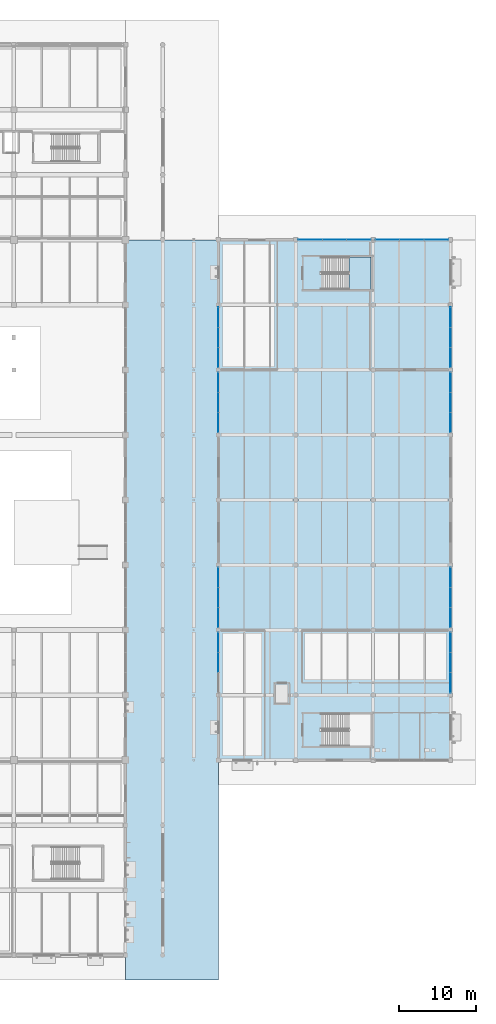
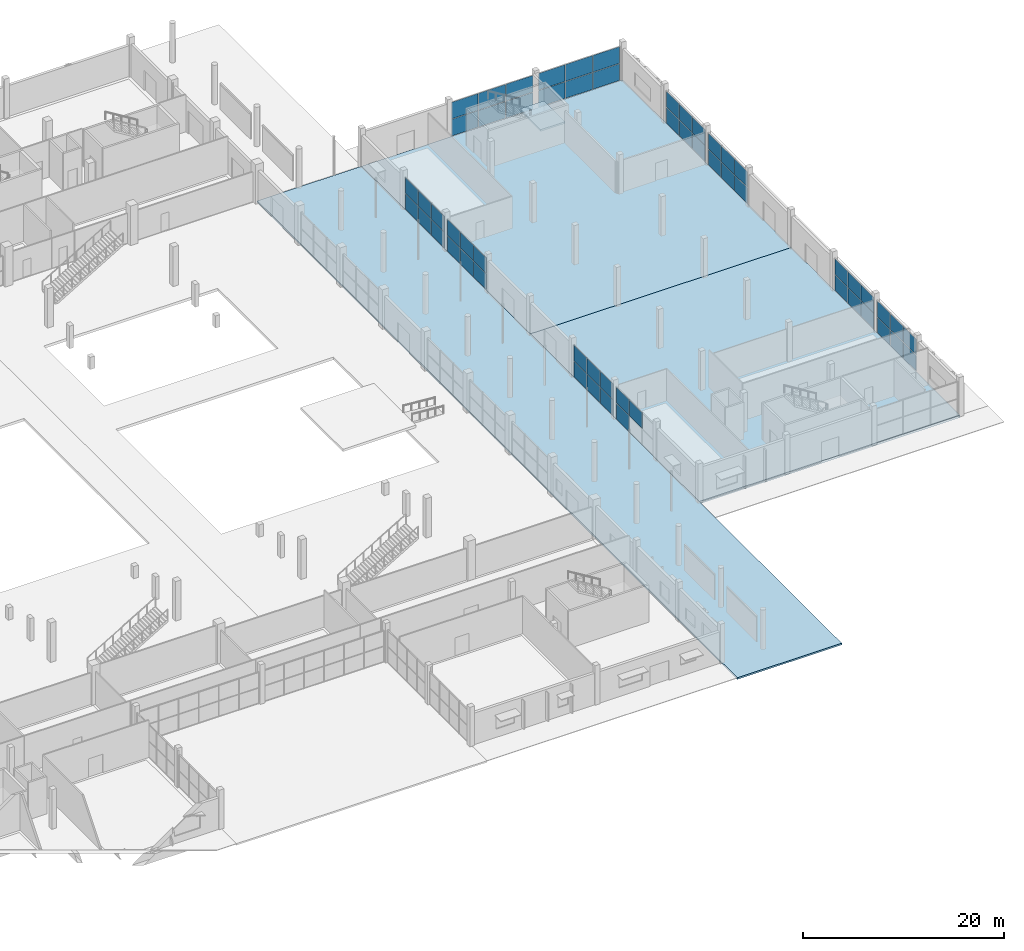
# One storey, part 86 of 130: 57 plates, 4 slabs, 11 elements without a shape of their own.
"""IFC4 building model written with IfcOpenShell, lengths in metres."""

from ifc_helpers import new_model, si_unit, direction, frame, origin, origin_2d, place, context, subcontext, project, spatial, polyline, rectangle, outline, extrude, material, layer, layer_set, type_object, element, aggregate, save


model = new_model("IFC4")

# Units and contexts
model_context = context("Model", 3, precision=1e-05, world=origin(), true_north=direction((0.0, 1.0)))
body_context = subcontext(model_context, "Body", "Model", "MODEL_VIEW")
ifc_project = project(units=[si_unit("LENGTHUNIT", "METRE"), si_unit("AREAUNIT", "SQUARE_METRE"), si_unit("VOLUMEUNIT", "CUBIC_METRE"), si_unit("PLANEANGLEUNIT", "RADIAN"), si_unit("MASSUNIT", "GRAM", prefix="KILO"), si_unit("THERMODYNAMICTEMPERATUREUNIT", "KELVIN")], contexts=[model_context])

# Site, building, storey
site_placement = place(None, origin())
site = spatial("IfcSite", under=ifc_project, at=site_placement, CompositionType="ELEMENT")
building_placement = place(site_placement, origin())
building = spatial("IfcBuilding", under=site, at=building_placement, Name="Nduvali Passage Aquatics Centre", CompositionType="ELEMENT")
storey_placement = place(building_placement, origin())
storey = spatial("IfcBuildingStorey", under=building, at=storey_placement, Name="L00", CompositionType="ELEMENT", Elevation=0.0)

# Curtain wall, plates
ifc_material_1 = material(Name="Aluminium EN AW-6063 T6", Category="aluminium")
curtain_wall_type_1 = type_object("IfcCurtainWallType", Name="ENV-CW-FOYR", PredefinedType="NOTDEFINED", material=ifc_material_1)
curtain_wall_1_placement = place(storey_placement, origin())
curtain_wall_1 = element("IfcCurtainWall", 1, at=curtain_wall_1_placement, inside=storey, type_object=curtain_wall_type_1, Name="L00 Passage Foyer Ground CW 069", PredefinedType="NOTDEFINED")
ifc_material_2 = material(Name="Laminated solar-control low-E IGU")
ifc_layer_1 = layer(ifc_material_2, 0.028076171875, Name="Laminated solar-control low-E IGU")
ifc_layer_set_1 = layer_set([ifc_layer_1], Name="Laminated solar-control low-E IGU")
plate_type = type_object("IfcPlateType", Name="ENV-PLT-GLZ28", PredefinedType="CURTAIN_PANEL", material=ifc_layer_set_1)
plate_1_placement = place(storey_placement, frame((138.0, 37.800048828125, 2.01806640625), z_axis=(0.0, 0.0, 1.0), x_axis=(0.0, 1.0, 0.0)))
plate_1 = element("IfcPlate", 2, at=plate_1_placement, type_object=plate_type, Name="Passage Foyer Ground CW Glazed Panel B2-R2", PredefinedType="CURTAIN_PANEL", context=body_context, shape_type="SweptSolid", body=[
    extrude(rectangle(XDim=2.556640625, YDim=0.028076171875, at=origin_2d()), origin(), (0.0, 0.0, 1.0), 1.898193359375),
])
plate_2_placement = place(storey_placement, frame((138.0, 40.401611328125, 0.06005859375), z_axis=(0.0, 0.0, 1.0), x_axis=(0.0, 1.0, 0.0)))
plate_2 = element("IfcPlate", 3, at=plate_2_placement, type_object=plate_type, Name="Passage Foyer Ground CW Glazed Panel B3-R1", PredefinedType="CURTAIN_PANEL", context=body_context, shape_type="SweptSolid", body=[
    extrude(rectangle(XDim=2.526611328125, YDim=0.028076171875, at=origin_2d()), origin(), (0.0, 0.0, 1.0), 1.898193359375),
])
plate_3_placement = place(storey_placement, frame((138.0, 40.401611328125, 2.01806640625), z_axis=(0.0, 0.0, 1.0), x_axis=(0.0, 1.0, 0.0)))
plate_3 = element("IfcPlate", 4, at=plate_3_placement, type_object=plate_type, Name="Passage Foyer Ground CW Glazed Panel B3-R2", PredefinedType="CURTAIN_PANEL", context=body_context, shape_type="SweptSolid", body=[
    extrude(rectangle(XDim=2.526611328125, YDim=0.028076171875, at=origin_2d()), origin(), (0.0, 0.0, 1.0), 1.898193359375),
])
aggregate(curtain_wall_1, [plate_1, plate_2, plate_3])

curtain_wall_2_placement = place(storey_placement, origin())
curtain_wall_2 = element("IfcCurtainWall", 5, at=curtain_wall_2_placement, inside=storey, type_object=curtain_wall_type_1, Name="L00 Passage Foyer Ground CW 071", PredefinedType="NOTDEFINED")
plate_4_placement = place(storey_placement, frame((138.0, 43.598388671875, 0.06005859375), z_axis=(0.0, 0.0, 1.0), x_axis=(0.0, 1.0, 0.0)))
plate_4 = element("IfcPlate", 6, at=plate_4_placement, type_object=plate_type, Name="Passage Foyer Ground CW Glazed Panel B1-R1", PredefinedType="CURTAIN_PANEL", context=body_context, shape_type="SweptSolid", body=[
    extrude(rectangle(XDim=2.526611328125, YDim=0.028076171875, at=origin_2d()), origin(), (0.0, 0.0, 1.0), 1.898193359375),
])
plate_5_placement = place(storey_placement, frame((138.0, 43.598388671875, 2.01806640625), z_axis=(0.0, 0.0, 1.0), x_axis=(0.0, 1.0, 0.0)))
plate_5 = element("IfcPlate", 7, at=plate_5_placement, type_object=plate_type, Name="Passage Foyer Ground CW Glazed Panel B1-R2", PredefinedType="CURTAIN_PANEL", context=body_context, shape_type="SweptSolid", body=[
    extrude(rectangle(XDim=2.526611328125, YDim=0.028076171875, at=origin_2d()), origin(), (0.0, 0.0, 1.0), 1.898193359375),
])
plate_6_placement = place(storey_placement, frame((138.0, 46.199951171875, 0.06005859375), z_axis=(0.0, 0.0, 1.0), x_axis=(0.0, 1.0, 0.0)))
plate_6 = element("IfcPlate", 8, at=plate_6_placement, type_object=plate_type, Name="Passage Foyer Ground CW Glazed Panel B2-R1", PredefinedType="CURTAIN_PANEL", context=body_context, shape_type="SweptSolid", body=[
    extrude(rectangle(XDim=2.556640625, YDim=0.028076171875, at=origin_2d()), origin(), (0.0, 0.0, 1.0), 1.898193359375),
])
plate_7_placement = place(storey_placement, frame((138.0, 46.199951171875, 2.01806640625), z_axis=(0.0, 0.0, 1.0), x_axis=(0.0, 1.0, 0.0)))
plate_7 = element("IfcPlate", 9, at=plate_7_placement, type_object=plate_type, Name="Passage Foyer Ground CW Glazed Panel B2-R2", PredefinedType="CURTAIN_PANEL", context=body_context, shape_type="SweptSolid", body=[
    extrude(rectangle(XDim=2.556640625, YDim=0.028076171875, at=origin_2d()), origin(), (0.0, 0.0, 1.0), 1.898193359375),
])
plate_8_placement = place(storey_placement, frame((138.0, 48.8017578125, 0.06005859375), z_axis=(0.0, 0.0, 1.0), x_axis=(0.0, 1.0, 0.0)))
plate_8 = element("IfcPlate", 10, at=plate_8_placement, type_object=plate_type, Name="Passage Foyer Ground CW Glazed Panel B3-R1", PredefinedType="CURTAIN_PANEL", context=body_context, shape_type="SweptSolid", body=[
    extrude(rectangle(XDim=2.526611328125, YDim=0.028076171875, at=origin_2d()), origin(), (0.0, 0.0, 1.0), 1.898193359375),
])
plate_9_placement = place(storey_placement, frame((138.0, 48.8017578125, 2.01806640625), z_axis=(0.0, 0.0, 1.0), x_axis=(0.0, 1.0, 0.0)))
plate_9 = element("IfcPlate", 11, at=plate_9_placement, type_object=plate_type, Name="Passage Foyer Ground CW Glazed Panel B3-R2", PredefinedType="CURTAIN_PANEL", context=body_context, shape_type="SweptSolid", body=[
    extrude(rectangle(XDim=2.526611328125, YDim=0.028076171875, at=origin_2d()), origin(), (0.0, 0.0, 1.0), 1.898193359375),
])
aggregate(curtain_wall_2, [plate_4, plate_5, plate_6, plate_7, plate_8, plate_9])

curtain_wall_3_placement = place(storey_placement, origin())
curtain_wall_3 = element("IfcCurtainWall", 12, at=curtain_wall_3_placement, inside=storey, type_object=curtain_wall_type_1, Name="L00 Passage Foyer Ground CW 075", PredefinedType="NOTDEFINED")
plate_10_placement = place(storey_placement, frame((138.0, 68.79833984375, 0.06005859375), z_axis=(0.0, 0.0, 1.0), x_axis=(0.0, 1.0, 0.0)))
plate_10 = element("IfcPlate", 13, at=plate_10_placement, type_object=plate_type, Name="Passage Foyer Ground CW Glazed Panel B1-R1", PredefinedType="CURTAIN_PANEL", context=body_context, shape_type="SweptSolid", body=[
    extrude(rectangle(XDim=2.526611328125, YDim=0.028076171875, at=origin_2d()), origin(), (0.0, 0.0, 1.0), 1.898193359375),
])
plate_11_placement = place(storey_placement, frame((138.0, 68.79833984375, 2.01806640625), z_axis=(0.0, 0.0, 1.0), x_axis=(0.0, 1.0, 0.0)))
plate_11 = element("IfcPlate", 14, at=plate_11_placement, type_object=plate_type, Name="Passage Foyer Ground CW Glazed Panel B1-R2", PredefinedType="CURTAIN_PANEL", context=body_context, shape_type="SweptSolid", body=[
    extrude(rectangle(XDim=2.526611328125, YDim=0.028076171875, at=origin_2d()), origin(), (0.0, 0.0, 1.0), 1.898193359375),
])
plate_12_placement = place(storey_placement, frame((138.0, 71.39990234375, 0.06005859375), z_axis=(0.0, 0.0, 1.0), x_axis=(0.0, 1.0, 0.0)))
plate_12 = element("IfcPlate", 15, at=plate_12_placement, type_object=plate_type, Name="Passage Foyer Ground CW Glazed Panel B2-R1", PredefinedType="CURTAIN_PANEL", context=body_context, shape_type="SweptSolid", body=[
    extrude(rectangle(XDim=2.556640625, YDim=0.028076171875, at=origin_2d()), origin(), (0.0, 0.0, 1.0), 1.898193359375),
])
plate_13_placement = place(storey_placement, frame((138.0, 71.39990234375, 2.01806640625), z_axis=(0.0, 0.0, 1.0), x_axis=(0.0, 1.0, 0.0)))
plate_13 = element("IfcPlate", 16, at=plate_13_placement, type_object=plate_type, Name="Passage Foyer Ground CW Glazed Panel B2-R2", PredefinedType="CURTAIN_PANEL", context=body_context, shape_type="SweptSolid", body=[
    extrude(rectangle(XDim=2.556640625, YDim=0.028076171875, at=origin_2d()), origin(), (0.0, 0.0, 1.0), 1.898193359375),
])
plate_14_placement = place(storey_placement, frame((138.0, 74.001708984375, 0.06005859375), z_axis=(0.0, 0.0, 1.0), x_axis=(0.0, 1.0, 0.0)))
plate_14 = element("IfcPlate", 17, at=plate_14_placement, type_object=plate_type, Name="Passage Foyer Ground CW Glazed Panel B3-R1", PredefinedType="CURTAIN_PANEL", context=body_context, shape_type="SweptSolid", body=[
    extrude(rectangle(XDim=2.526611328125, YDim=0.028076171875, at=origin_2d()), origin(), (0.0, 0.0, 1.0), 1.898193359375),
])
plate_15_placement = place(storey_placement, frame((138.0, 74.001708984375, 2.01806640625), z_axis=(0.0, 0.0, 1.0), x_axis=(0.0, 1.0, 0.0)))
plate_15 = element("IfcPlate", 18, at=plate_15_placement, type_object=plate_type, Name="Passage Foyer Ground CW Glazed Panel B3-R2", PredefinedType="CURTAIN_PANEL", context=body_context, shape_type="SweptSolid", body=[
    extrude(rectangle(XDim=2.526611328125, YDim=0.028076171875, at=origin_2d()), origin(), (0.0, 0.0, 1.0), 1.898193359375),
])
aggregate(curtain_wall_3, [plate_10, plate_11, plate_12, plate_13, plate_14, plate_15])

curtain_wall_4_placement = place(storey_placement, origin())
curtain_wall_4 = element("IfcCurtainWall", 19, at=curtain_wall_4_placement, inside=storey, type_object=curtain_wall_type_1, Name="L00 Passage Foyer Ground CW 077", PredefinedType="NOTDEFINED")
plate_16_placement = place(storey_placement, frame((138.0, 77.1982421875, 0.06005859375), z_axis=(0.0, 0.0, 1.0), x_axis=(0.0, 1.0, 0.0)))
plate_16 = element("IfcPlate", 20, at=plate_16_placement, type_object=plate_type, Name="Passage Foyer Ground CW Glazed Panel B1-R1", PredefinedType="CURTAIN_PANEL", context=body_context, shape_type="SweptSolid", body=[
    extrude(rectangle(XDim=2.526611328125, YDim=0.028076171875, at=origin_2d()), origin(), (0.0, 0.0, 1.0), 1.898193359375),
])
plate_17_placement = place(storey_placement, frame((138.0, 77.1982421875, 2.01806640625), z_axis=(0.0, 0.0, 1.0), x_axis=(0.0, 1.0, 0.0)))
plate_17 = element("IfcPlate", 21, at=plate_17_placement, type_object=plate_type, Name="Passage Foyer Ground CW Glazed Panel B1-R2", PredefinedType="CURTAIN_PANEL", context=body_context, shape_type="SweptSolid", body=[
    extrude(rectangle(XDim=2.526611328125, YDim=0.028076171875, at=origin_2d()), origin(), (0.0, 0.0, 1.0), 1.898193359375),
])
plate_18_placement = place(storey_placement, frame((138.0, 79.800048828125, 0.06005859375), z_axis=(0.0, 0.0, 1.0), x_axis=(0.0, 1.0, 0.0)))
plate_18 = element("IfcPlate", 22, at=plate_18_placement, type_object=plate_type, Name="Passage Foyer Ground CW Glazed Panel B2-R1", PredefinedType="CURTAIN_PANEL", context=body_context, shape_type="SweptSolid", body=[
    extrude(rectangle(XDim=2.556640625, YDim=0.028076171875, at=origin_2d()), origin(), (0.0, 0.0, 1.0), 1.898193359375),
])
plate_19_placement = place(storey_placement, frame((138.0, 79.800048828125, 2.01806640625), z_axis=(0.0, 0.0, 1.0), x_axis=(0.0, 1.0, 0.0)))
plate_19 = element("IfcPlate", 23, at=plate_19_placement, type_object=plate_type, Name="Passage Foyer Ground CW Glazed Panel B2-R2", PredefinedType="CURTAIN_PANEL", context=body_context, shape_type="SweptSolid", body=[
    extrude(rectangle(XDim=2.556640625, YDim=0.028076171875, at=origin_2d()), origin(), (0.0, 0.0, 1.0), 1.898193359375),
])
plate_20_placement = place(storey_placement, frame((138.0, 82.401611328125, 0.06005859375), z_axis=(0.0, 0.0, 1.0), x_axis=(0.0, 1.0, 0.0)))
plate_20 = element("IfcPlate", 24, at=plate_20_placement, type_object=plate_type, Name="Passage Foyer Ground CW Glazed Panel B3-R1", PredefinedType="CURTAIN_PANEL", context=body_context, shape_type="SweptSolid", body=[
    extrude(rectangle(XDim=2.526611328125, YDim=0.028076171875, at=origin_2d()), origin(), (0.0, 0.0, 1.0), 1.898193359375),
])
plate_21_placement = place(storey_placement, frame((138.0, 82.401611328125, 2.01806640625), z_axis=(0.0, 0.0, 1.0), x_axis=(0.0, 1.0, 0.0)))
plate_21 = element("IfcPlate", 25, at=plate_21_placement, type_object=plate_type, Name="Passage Foyer Ground CW Glazed Panel B3-R2", PredefinedType="CURTAIN_PANEL", context=body_context, shape_type="SweptSolid", body=[
    extrude(rectangle(XDim=2.526611328125, YDim=0.028076171875, at=origin_2d()), origin(), (0.0, 0.0, 1.0), 1.898193359375),
])
aggregate(curtain_wall_4, [plate_16, plate_17, plate_18, plate_19, plate_20, plate_21])

curtain_wall_5_placement = place(storey_placement, origin())
curtain_wall_5 = element("IfcCurtainWall", 26, at=curtain_wall_5_placement, inside=storey, type_object=curtain_wall_type_1, Name="L00 East Avenue Entrance Ground CW 081", PredefinedType="NOTDEFINED")
plate_22_placement = place(storey_placement, frame((168.0, 35.1982421875, 0.06005859375), z_axis=(0.0, 0.0, 1.0), x_axis=(0.0, 1.0, 0.0)))
plate_22 = element("IfcPlate", 27, at=plate_22_placement, type_object=plate_type, Name="East Avenue Entrance Ground CW Glazed Panel B1-R1", PredefinedType="CURTAIN_PANEL", context=body_context, shape_type="SweptSolid", body=[
    extrude(rectangle(XDim=2.526611328125, YDim=0.028076171875, at=origin_2d()), origin(), (0.0, 0.0, 1.0), 1.898193359375),
])
plate_23_placement = place(storey_placement, frame((168.0, 35.1982421875, 2.01806640625), z_axis=(0.0, 0.0, 1.0), x_axis=(0.0, 1.0, 0.0)))
plate_23 = element("IfcPlate", 28, at=plate_23_placement, type_object=plate_type, Name="East Avenue Entrance Ground CW Glazed Panel B1-R2", PredefinedType="CURTAIN_PANEL", context=body_context, shape_type="SweptSolid", body=[
    extrude(rectangle(XDim=2.526611328125, YDim=0.028076171875, at=origin_2d()), origin(), (0.0, 0.0, 1.0), 1.898193359375),
])
plate_24_placement = place(storey_placement, frame((168.0, 37.800048828125, 0.06005859375), z_axis=(0.0, 0.0, 1.0), x_axis=(0.0, 1.0, 0.0)))
plate_24 = element("IfcPlate", 29, at=plate_24_placement, type_object=plate_type, Name="East Avenue Entrance Ground CW Glazed Panel B2-R1", PredefinedType="CURTAIN_PANEL", context=body_context, shape_type="SweptSolid", body=[
    extrude(rectangle(XDim=2.556640625, YDim=0.028076171875, at=origin_2d()), origin(), (0.0, 0.0, 1.0), 1.898193359375),
])
plate_25_placement = place(storey_placement, frame((168.0, 37.800048828125, 2.01806640625), z_axis=(0.0, 0.0, 1.0), x_axis=(0.0, 1.0, 0.0)))
plate_25 = element("IfcPlate", 30, at=plate_25_placement, type_object=plate_type, Name="East Avenue Entrance Ground CW Glazed Panel B2-R2", PredefinedType="CURTAIN_PANEL", context=body_context, shape_type="SweptSolid", body=[
    extrude(rectangle(XDim=2.556640625, YDim=0.028076171875, at=origin_2d()), origin(), (0.0, 0.0, 1.0), 1.898193359375),
])
plate_26_placement = place(storey_placement, frame((168.0, 40.401611328125, 0.06005859375), z_axis=(0.0, 0.0, 1.0), x_axis=(0.0, 1.0, 0.0)))
plate_26 = element("IfcPlate", 31, at=plate_26_placement, type_object=plate_type, Name="East Avenue Entrance Ground CW Glazed Panel B3-R1", PredefinedType="CURTAIN_PANEL", context=body_context, shape_type="SweptSolid", body=[
    extrude(rectangle(XDim=2.526611328125, YDim=0.028076171875, at=origin_2d()), origin(), (0.0, 0.0, 1.0), 1.898193359375),
])
plate_27_placement = place(storey_placement, frame((168.0, 40.401611328125, 2.01806640625), z_axis=(0.0, 0.0, 1.0), x_axis=(0.0, 1.0, 0.0)))
plate_27 = element("IfcPlate", 32, at=plate_27_placement, type_object=plate_type, Name="East Avenue Entrance Ground CW Glazed Panel B3-R2", PredefinedType="CURTAIN_PANEL", context=body_context, shape_type="SweptSolid", body=[
    extrude(rectangle(XDim=2.526611328125, YDim=0.028076171875, at=origin_2d()), origin(), (0.0, 0.0, 1.0), 1.898193359375),
])
aggregate(curtain_wall_5, [plate_22, plate_23, plate_24, plate_25, plate_26, plate_27])

curtain_wall_6_placement = place(storey_placement, origin())
curtain_wall_6 = element("IfcCurtainWall", 33, at=curtain_wall_6_placement, inside=storey, type_object=curtain_wall_type_1, Name="L00 East Avenue Entrance Ground CW 083", PredefinedType="NOTDEFINED")
plate_28_placement = place(storey_placement, frame((168.0, 43.598388671875, 0.06005859375), z_axis=(0.0, 0.0, 1.0), x_axis=(0.0, 1.0, 0.0)))
plate_28 = element("IfcPlate", 34, at=plate_28_placement, type_object=plate_type, Name="East Avenue Entrance Ground CW Glazed Panel B1-R1", PredefinedType="CURTAIN_PANEL", context=body_context, shape_type="SweptSolid", body=[
    extrude(rectangle(XDim=2.526611328125, YDim=0.028076171875, at=origin_2d()), origin(), (0.0, 0.0, 1.0), 1.898193359375),
])
plate_29_placement = place(storey_placement, frame((168.0, 43.598388671875, 2.01806640625), z_axis=(0.0, 0.0, 1.0), x_axis=(0.0, 1.0, 0.0)))
plate_29 = element("IfcPlate", 35, at=plate_29_placement, type_object=plate_type, Name="East Avenue Entrance Ground CW Glazed Panel B1-R2", PredefinedType="CURTAIN_PANEL", context=body_context, shape_type="SweptSolid", body=[
    extrude(rectangle(XDim=2.526611328125, YDim=0.028076171875, at=origin_2d()), origin(), (0.0, 0.0, 1.0), 1.898193359375),
])
plate_30_placement = place(storey_placement, frame((168.0, 46.199951171875, 0.06005859375), z_axis=(0.0, 0.0, 1.0), x_axis=(0.0, 1.0, 0.0)))
plate_30 = element("IfcPlate", 36, at=plate_30_placement, type_object=plate_type, Name="East Avenue Entrance Ground CW Glazed Panel B2-R1", PredefinedType="CURTAIN_PANEL", context=body_context, shape_type="SweptSolid", body=[
    extrude(rectangle(XDim=2.556640625, YDim=0.028076171875, at=origin_2d()), origin(), (0.0, 0.0, 1.0), 1.898193359375),
])
plate_31_placement = place(storey_placement, frame((168.0, 46.199951171875, 2.01806640625), z_axis=(0.0, 0.0, 1.0), x_axis=(0.0, 1.0, 0.0)))
plate_31 = element("IfcPlate", 37, at=plate_31_placement, type_object=plate_type, Name="East Avenue Entrance Ground CW Glazed Panel B2-R2", PredefinedType="CURTAIN_PANEL", context=body_context, shape_type="SweptSolid", body=[
    extrude(rectangle(XDim=2.556640625, YDim=0.028076171875, at=origin_2d()), origin(), (0.0, 0.0, 1.0), 1.898193359375),
])
plate_32_placement = place(storey_placement, frame((168.0, 48.8017578125, 0.06005859375), z_axis=(0.0, 0.0, 1.0), x_axis=(0.0, 1.0, 0.0)))
plate_32 = element("IfcPlate", 38, at=plate_32_placement, type_object=plate_type, Name="East Avenue Entrance Ground CW Glazed Panel B3-R1", PredefinedType="CURTAIN_PANEL", context=body_context, shape_type="SweptSolid", body=[
    extrude(rectangle(XDim=2.526611328125, YDim=0.028076171875, at=origin_2d()), origin(), (0.0, 0.0, 1.0), 1.898193359375),
])
plate_33_placement = place(storey_placement, frame((168.0, 48.8017578125, 2.01806640625), z_axis=(0.0, 0.0, 1.0), x_axis=(0.0, 1.0, 0.0)))
plate_33 = element("IfcPlate", 39, at=plate_33_placement, type_object=plate_type, Name="East Avenue Entrance Ground CW Glazed Panel B3-R2", PredefinedType="CURTAIN_PANEL", context=body_context, shape_type="SweptSolid", body=[
    extrude(rectangle(XDim=2.526611328125, YDim=0.028076171875, at=origin_2d()), origin(), (0.0, 0.0, 1.0), 1.898193359375),
])
aggregate(curtain_wall_6, [plate_28, plate_29, plate_30, plate_31, plate_32, plate_33])

curtain_wall_7_placement = place(storey_placement, origin())
curtain_wall_7 = element("IfcCurtainWall", 40, at=curtain_wall_7_placement, inside=storey, type_object=curtain_wall_type_1, Name="L00 East Avenue Entrance Ground CW 087", PredefinedType="NOTDEFINED")
plate_34_placement = place(storey_placement, frame((168.0, 68.79833984375, 0.06005859375), z_axis=(0.0, 0.0, 1.0), x_axis=(0.0, 1.0, 0.0)))
plate_34 = element("IfcPlate", 41, at=plate_34_placement, type_object=plate_type, Name="East Avenue Entrance Ground CW Glazed Panel B1-R1", PredefinedType="CURTAIN_PANEL", context=body_context, shape_type="SweptSolid", body=[
    extrude(rectangle(XDim=2.526611328125, YDim=0.028076171875, at=origin_2d()), origin(), (0.0, 0.0, 1.0), 1.898193359375),
])
plate_35_placement = place(storey_placement, frame((168.0, 68.79833984375, 2.01806640625), z_axis=(0.0, 0.0, 1.0), x_axis=(0.0, 1.0, 0.0)))
plate_35 = element("IfcPlate", 42, at=plate_35_placement, type_object=plate_type, Name="East Avenue Entrance Ground CW Glazed Panel B1-R2", PredefinedType="CURTAIN_PANEL", context=body_context, shape_type="SweptSolid", body=[
    extrude(rectangle(XDim=2.526611328125, YDim=0.028076171875, at=origin_2d()), origin(), (0.0, 0.0, 1.0), 1.898193359375),
])
plate_36_placement = place(storey_placement, frame((168.0, 71.39990234375, 0.06005859375), z_axis=(0.0, 0.0, 1.0), x_axis=(0.0, 1.0, 0.0)))
plate_36 = element("IfcPlate", 43, at=plate_36_placement, type_object=plate_type, Name="East Avenue Entrance Ground CW Glazed Panel B2-R1", PredefinedType="CURTAIN_PANEL", context=body_context, shape_type="SweptSolid", body=[
    extrude(rectangle(XDim=2.556640625, YDim=0.028076171875, at=origin_2d()), origin(), (0.0, 0.0, 1.0), 1.898193359375),
])
plate_37_placement = place(storey_placement, frame((168.0, 71.39990234375, 2.01806640625), z_axis=(0.0, 0.0, 1.0), x_axis=(0.0, 1.0, 0.0)))
plate_37 = element("IfcPlate", 44, at=plate_37_placement, type_object=plate_type, Name="East Avenue Entrance Ground CW Glazed Panel B2-R2", PredefinedType="CURTAIN_PANEL", context=body_context, shape_type="SweptSolid", body=[
    extrude(rectangle(XDim=2.556640625, YDim=0.028076171875, at=origin_2d()), origin(), (0.0, 0.0, 1.0), 1.898193359375),
])
plate_38_placement = place(storey_placement, frame((168.0, 74.001708984375, 0.06005859375), z_axis=(0.0, 0.0, 1.0), x_axis=(0.0, 1.0, 0.0)))
plate_38 = element("IfcPlate", 45, at=plate_38_placement, type_object=plate_type, Name="East Avenue Entrance Ground CW Glazed Panel B3-R1", PredefinedType="CURTAIN_PANEL", context=body_context, shape_type="SweptSolid", body=[
    extrude(rectangle(XDim=2.526611328125, YDim=0.028076171875, at=origin_2d()), origin(), (0.0, 0.0, 1.0), 1.898193359375),
])
plate_39_placement = place(storey_placement, frame((168.0, 74.001708984375, 2.01806640625), z_axis=(0.0, 0.0, 1.0), x_axis=(0.0, 1.0, 0.0)))
plate_39 = element("IfcPlate", 46, at=plate_39_placement, type_object=plate_type, Name="East Avenue Entrance Ground CW Glazed Panel B3-R2", PredefinedType="CURTAIN_PANEL", context=body_context, shape_type="SweptSolid", body=[
    extrude(rectangle(XDim=2.526611328125, YDim=0.028076171875, at=origin_2d()), origin(), (0.0, 0.0, 1.0), 1.898193359375),
])
aggregate(curtain_wall_7, [plate_34, plate_35, plate_36, plate_37, plate_38, plate_39])

curtain_wall_8_placement = place(storey_placement, origin())
curtain_wall_8 = element("IfcCurtainWall", 47, at=curtain_wall_8_placement, inside=storey, type_object=curtain_wall_type_1, Name="L00 East Avenue Entrance Ground CW 089", PredefinedType="NOTDEFINED")
plate_40_placement = place(storey_placement, frame((168.0, 77.1982421875, 0.06005859375), z_axis=(0.0, 0.0, 1.0), x_axis=(0.0, 1.0, 0.0)))
plate_40 = element("IfcPlate", 48, at=plate_40_placement, type_object=plate_type, Name="East Avenue Entrance Ground CW Glazed Panel B1-R1", PredefinedType="CURTAIN_PANEL", context=body_context, shape_type="SweptSolid", body=[
    extrude(rectangle(XDim=2.526611328125, YDim=0.028076171875, at=origin_2d()), origin(), (0.0, 0.0, 1.0), 1.898193359375),
])
plate_41_placement = place(storey_placement, frame((168.0, 77.1982421875, 2.01806640625), z_axis=(0.0, 0.0, 1.0), x_axis=(0.0, 1.0, 0.0)))
plate_41 = element("IfcPlate", 49, at=plate_41_placement, type_object=plate_type, Name="East Avenue Entrance Ground CW Glazed Panel B1-R2", PredefinedType="CURTAIN_PANEL", context=body_context, shape_type="SweptSolid", body=[
    extrude(rectangle(XDim=2.526611328125, YDim=0.028076171875, at=origin_2d()), origin(), (0.0, 0.0, 1.0), 1.898193359375),
])
plate_42_placement = place(storey_placement, frame((168.0, 79.800048828125, 0.06005859375), z_axis=(0.0, 0.0, 1.0), x_axis=(0.0, 1.0, 0.0)))
plate_42 = element("IfcPlate", 50, at=plate_42_placement, type_object=plate_type, Name="East Avenue Entrance Ground CW Glazed Panel B2-R1", PredefinedType="CURTAIN_PANEL", context=body_context, shape_type="SweptSolid", body=[
    extrude(rectangle(XDim=2.556640625, YDim=0.028076171875, at=origin_2d()), origin(), (0.0, 0.0, 1.0), 1.898193359375),
])
plate_43_placement = place(storey_placement, frame((168.0, 79.800048828125, 2.01806640625), z_axis=(0.0, 0.0, 1.0), x_axis=(0.0, 1.0, 0.0)))
plate_43 = element("IfcPlate", 51, at=plate_43_placement, type_object=plate_type, Name="East Avenue Entrance Ground CW Glazed Panel B2-R2", PredefinedType="CURTAIN_PANEL", context=body_context, shape_type="SweptSolid", body=[
    extrude(rectangle(XDim=2.556640625, YDim=0.028076171875, at=origin_2d()), origin(), (0.0, 0.0, 1.0), 1.898193359375),
])
plate_44_placement = place(storey_placement, frame((168.0, 82.401611328125, 0.06005859375), z_axis=(0.0, 0.0, 1.0), x_axis=(0.0, 1.0, 0.0)))
plate_44 = element("IfcPlate", 52, at=plate_44_placement, type_object=plate_type, Name="East Avenue Entrance Ground CW Glazed Panel B3-R1", PredefinedType="CURTAIN_PANEL", context=body_context, shape_type="SweptSolid", body=[
    extrude(rectangle(XDim=2.526611328125, YDim=0.028076171875, at=origin_2d()), origin(), (0.0, 0.0, 1.0), 1.898193359375),
])
plate_45_placement = place(storey_placement, frame((168.0, 82.401611328125, 2.01806640625), z_axis=(0.0, 0.0, 1.0), x_axis=(0.0, 1.0, 0.0)))
plate_45 = element("IfcPlate", 53, at=plate_45_placement, type_object=plate_type, Name="East Avenue Entrance Ground CW Glazed Panel B3-R2", PredefinedType="CURTAIN_PANEL", context=body_context, shape_type="SweptSolid", body=[
    extrude(rectangle(XDim=2.526611328125, YDim=0.028076171875, at=origin_2d()), origin(), (0.0, 0.0, 1.0), 1.898193359375),
])
aggregate(curtain_wall_8, [plate_40, plate_41, plate_42, plate_43, plate_44, plate_45])

curtain_wall_type_2 = type_object("IfcCurtainWallType", Name="ENV-CW-PASS", PredefinedType="NOTDEFINED", material=ifc_material_1)
curtain_wall_9_placement = place(storey_placement, origin())
curtain_wall_9 = element("IfcCurtainWall", 54, at=curtain_wall_9_placement, inside=storey, type_object=curtain_wall_type_2, Name="L00 North Cafe CW 095", PredefinedType="NOTDEFINED")
plate_46_placement = place(storey_placement, frame((149.864990234375, 92.39990234375, 0.06005859375), z_axis=(0.0, 0.0, 1.0), x_axis=(1.0, 0.0, 0.0)))
plate_46 = element("IfcPlate", 55, at=plate_46_placement, type_object=plate_type, Name="North Cafe CW Glazed Panel B1-R1", PredefinedType="CURTAIN_PANEL", context=body_context, shape_type="SweptSolid", body=[
    extrude(rectangle(XDim=3.06005859375, YDim=0.028076171875, at=origin_2d()), origin(), (0.0, 0.0, 1.0), 2.01806640625),
])
plate_47_placement = place(storey_placement, frame((149.864990234375, 92.39990234375, 2.137939453125), z_axis=(0.0, 0.0, 1.0), x_axis=(1.0, 0.0, 0.0)))
plate_47 = element("IfcPlate", 56, at=plate_47_placement, type_object=plate_type, Name="North Cafe CW Glazed Panel B1-R2", PredefinedType="CURTAIN_PANEL", context=body_context, shape_type="SweptSolid", body=[
    extrude(rectangle(XDim=3.06005859375, YDim=0.028076171875, at=origin_2d()), origin(), (0.0, 0.0, 1.0), 2.01806640625),
])
plate_48_placement = place(storey_placement, frame((153.0, 92.39990234375, 0.06005859375), z_axis=(0.0, 0.0, 1.0), x_axis=(1.0, 0.0, 0.0)))
plate_48 = element("IfcPlate", 57, at=plate_48_placement, type_object=plate_type, Name="North Cafe CW Glazed Panel B2-R1", PredefinedType="CURTAIN_PANEL", context=body_context, shape_type="SweptSolid", body=[
    extrude(rectangle(XDim=3.090087890625, YDim=0.028076171875, at=origin_2d()), origin(), (0.0, 0.0, 1.0), 2.01806640625),
])
plate_49_placement = place(storey_placement, frame((153.0, 92.39990234375, 2.137939453125), z_axis=(0.0, 0.0, 1.0), x_axis=(1.0, 0.0, 0.0)))
plate_49 = element("IfcPlate", 58, at=plate_49_placement, type_object=plate_type, Name="North Cafe CW Glazed Panel B2-R2", PredefinedType="CURTAIN_PANEL", context=body_context, shape_type="SweptSolid", body=[
    extrude(rectangle(XDim=3.090087890625, YDim=0.028076171875, at=origin_2d()), origin(), (0.0, 0.0, 1.0), 2.01806640625),
])
plate_50_placement = place(storey_placement, frame((156.135009765625, 92.39990234375, 0.06005859375), z_axis=(0.0, 0.0, 1.0), x_axis=(1.0, 0.0, 0.0)))
plate_50 = element("IfcPlate", 59, at=plate_50_placement, type_object=plate_type, Name="North Cafe CW Glazed Panel B3-R1", PredefinedType="CURTAIN_PANEL", context=body_context, shape_type="SweptSolid", body=[
    extrude(rectangle(XDim=3.06005859375, YDim=0.028076171875, at=origin_2d()), origin(), (0.0, 0.0, 1.0), 2.01806640625),
])
plate_51_placement = place(storey_placement, frame((156.135009765625, 92.39990234375, 2.137939453125), z_axis=(0.0, 0.0, 1.0), x_axis=(1.0, 0.0, 0.0)))
plate_51 = element("IfcPlate", 60, at=plate_51_placement, type_object=plate_type, Name="North Cafe CW Glazed Panel B3-R2", PredefinedType="CURTAIN_PANEL", context=body_context, shape_type="SweptSolid", body=[
    extrude(rectangle(XDim=3.06005859375, YDim=0.028076171875, at=origin_2d()), origin(), (0.0, 0.0, 1.0), 2.01806640625),
])
aggregate(curtain_wall_9, [plate_46, plate_47, plate_48, plate_49, plate_50, plate_51])

curtain_wall_10_placement = place(storey_placement, origin())
curtain_wall_10 = element("IfcCurtainWall", 61, at=curtain_wall_10_placement, inside=storey, type_object=curtain_wall_type_2, Name="L00 North Cafe CW 097", PredefinedType="NOTDEFINED")
plate_52_placement = place(storey_placement, frame((159.864990234375, 92.39990234375, 0.06005859375), z_axis=(0.0, 0.0, 1.0), x_axis=(1.0, 0.0, 0.0)))
plate_52 = element("IfcPlate", 62, at=plate_52_placement, type_object=plate_type, Name="North Cafe CW Glazed Panel B1-R1", PredefinedType="CURTAIN_PANEL", context=body_context, shape_type="SweptSolid", body=[
    extrude(rectangle(XDim=3.06005859375, YDim=0.028076171875, at=origin_2d()), origin(), (0.0, 0.0, 1.0), 2.01806640625),
])
plate_53_placement = place(storey_placement, frame((159.864990234375, 92.39990234375, 2.137939453125), z_axis=(0.0, 0.0, 1.0), x_axis=(1.0, 0.0, 0.0)))
plate_53 = element("IfcPlate", 63, at=plate_53_placement, type_object=plate_type, Name="North Cafe CW Glazed Panel B1-R2", PredefinedType="CURTAIN_PANEL", context=body_context, shape_type="SweptSolid", body=[
    extrude(rectangle(XDim=3.06005859375, YDim=0.028076171875, at=origin_2d()), origin(), (0.0, 0.0, 1.0), 2.01806640625),
])
plate_54_placement = place(storey_placement, frame((163.0, 92.39990234375, 0.06005859375), z_axis=(0.0, 0.0, 1.0), x_axis=(1.0, 0.0, 0.0)))
plate_54 = element("IfcPlate", 64, at=plate_54_placement, type_object=plate_type, Name="North Cafe CW Glazed Panel B2-R1", PredefinedType="CURTAIN_PANEL", context=body_context, shape_type="SweptSolid", body=[
    extrude(rectangle(XDim=3.090087890625, YDim=0.028076171875, at=origin_2d()), origin(), (0.0, 0.0, 1.0), 2.01806640625),
])
plate_55_placement = place(storey_placement, frame((163.0, 92.39990234375, 2.137939453125), z_axis=(0.0, 0.0, 1.0), x_axis=(1.0, 0.0, 0.0)))
plate_55 = element("IfcPlate", 65, at=plate_55_placement, type_object=plate_type, Name="North Cafe CW Glazed Panel B2-R2", PredefinedType="CURTAIN_PANEL", context=body_context, shape_type="SweptSolid", body=[
    extrude(rectangle(XDim=3.090087890625, YDim=0.028076171875, at=origin_2d()), origin(), (0.0, 0.0, 1.0), 2.01806640625),
])
plate_56_placement = place(storey_placement, frame((166.135009765625, 92.39990234375, 0.06005859375), z_axis=(0.0, 0.0, 1.0), x_axis=(1.0, 0.0, 0.0)))
plate_56 = element("IfcPlate", 66, at=plate_56_placement, type_object=plate_type, Name="North Cafe CW Glazed Panel B3-R1", PredefinedType="CURTAIN_PANEL", context=body_context, shape_type="SweptSolid", body=[
    extrude(rectangle(XDim=3.06005859375, YDim=0.028076171875, at=origin_2d()), origin(), (0.0, 0.0, 1.0), 2.01806640625),
])
plate_57_placement = place(storey_placement, frame((166.135009765625, 92.39990234375, 2.137939453125), z_axis=(0.0, 0.0, 1.0), x_axis=(1.0, 0.0, 0.0)))
plate_57 = element("IfcPlate", 67, at=plate_57_placement, type_object=plate_type, Name="North Cafe CW Glazed Panel B3-R2", PredefinedType="CURTAIN_PANEL", context=body_context, shape_type="SweptSolid", body=[
    extrude(rectangle(XDim=3.06005859375, YDim=0.028076171875, at=origin_2d()), origin(), (0.0, 0.0, 1.0), 2.01806640625),
])
aggregate(curtain_wall_10, [plate_52, plate_53, plate_54, plate_55, plate_56, plate_57])

# Stair, slab
ifc_material_3 = material(Name="Concrete C40/50", Category="concrete")
stair_type = type_object("IfcStairType", Name="INT-STR-CORE202", PredefinedType="HALF_TURN_STAIR", material=ifc_material_3)
stair_placement = place(storey_placement, origin())
stair = element("IfcStair", 68, at=stair_placement, inside=storey, type_object=stair_type, Name="L00 ST8", PredefinedType="HALF_TURN_STAIR")
ifc_layer_2 = layer(ifc_material_3, 0.219970703125, Name="Concrete C40/50")
ifc_layer_set_2 = layer_set([ifc_layer_2], Name="Concrete C40/50")
slab_type_1 = type_object("IfcSlabType", Name="INT-SLB-LAND170", PredefinedType="LANDING", material=ifc_layer_set_2)
slab_1_placement = place(storey_placement, frame((0.0, 0.0, 2.179931640625)))
slab_1 = element("IfcSlab", 69, at=slab_1_placement, type_object=slab_type_1, Name="ST8 landing 1", PredefinedType="LANDING", context=body_context, shape_type="SweptSolid", body=[
    extrude(outline(polyline([(154.889892578125, 86.0), (157.699951171875, 86.0), (157.699951171875, 90.18994140625), (154.889892578125, 90.18994140625), (154.889892578125, 86.0)])), origin(), (0.0, 0.0, 1.0), 0.219970703125),
])
aggregate(stair, [slab_1])

# Slabs
ifc_layer_3 = layer(ifc_material_3, 0.300048828125, Name="Concrete C40/50")
ifc_layer_set_3 = layer_set([ifc_layer_3], Name="Concrete C40/50")
slab_type_2 = type_object("IfcSlabType", Name="STR-SLB-FLR300", PredefinedType="FLOOR", material=ifc_layer_set_3)
slab_2_placement = place(storey_placement, frame((0.0, 0.0, -0.300048828125)))
element("IfcSlab", 70, at=slab_2_placement, inside=storey, type_object=slab_type_2, Name="L00 East Entrance Pavilion Floor Slab 1", PredefinedType="FLOOR", context=body_context, shape_type="SweptSolid", body=[
    extrude(outline(polyline([(138.0, 25.199951171875), (168.0, 25.199951171875), (168.0, 58.800048828125), (138.0, 58.800048828125), (138.0, 25.199951171875)])), origin(), (0.0, 0.0, 1.0), 0.300048828125),
])
slab_3_placement = place(storey_placement, frame((0.0, 0.0, -0.300048828125)))
element("IfcSlab", 71, at=slab_3_placement, inside=storey, type_object=slab_type_2, Name="L00 East Entrance Pavilion Floor Slab 2", PredefinedType="FLOOR", context=body_context, shape_type="SweptSolid", body=[
    extrude(outline(polyline([(138.0, 58.800048828125), (168.0, 58.800048828125), (168.0, 92.39990234375), (138.0, 92.39990234375), (138.0, 58.800048828125)])), origin(), (0.0, 0.0, 1.0), 0.300048828125),
])
ifc_layer_4 = layer(ifc_material_3, 0.199951171875, Name="Concrete C40/50")
ifc_layer_set_4 = layer_set([ifc_layer_4], Name="Concrete C40/50")
slab_type_3 = type_object("IfcSlabType", Name="STR-SLB-PAV200", PredefinedType="BASESLAB", material=ifc_layer_set_4)
slab_4_placement = place(storey_placement, frame((0.0, 0.0, -0.199951171875)))
element("IfcSlab", 72, at=slab_4_placement, inside=storey, type_object=slab_type_3, Name="L00 Colonnaded Public Monsoon Passage Paving Deck South", PredefinedType="BASESLAB", context=body_context, shape_type="SweptSolid", body=[
    extrude(outline(polyline([(126.0, -3.199951171875), (138.0, -3.199951171875), (138.0, 92.39990234375), (126.0, 92.39990234375), (126.0, -3.199951171875)])), origin(), (0.0, 0.0, 1.0), 0.199951171875),
])

save(model, "model.ifc")
